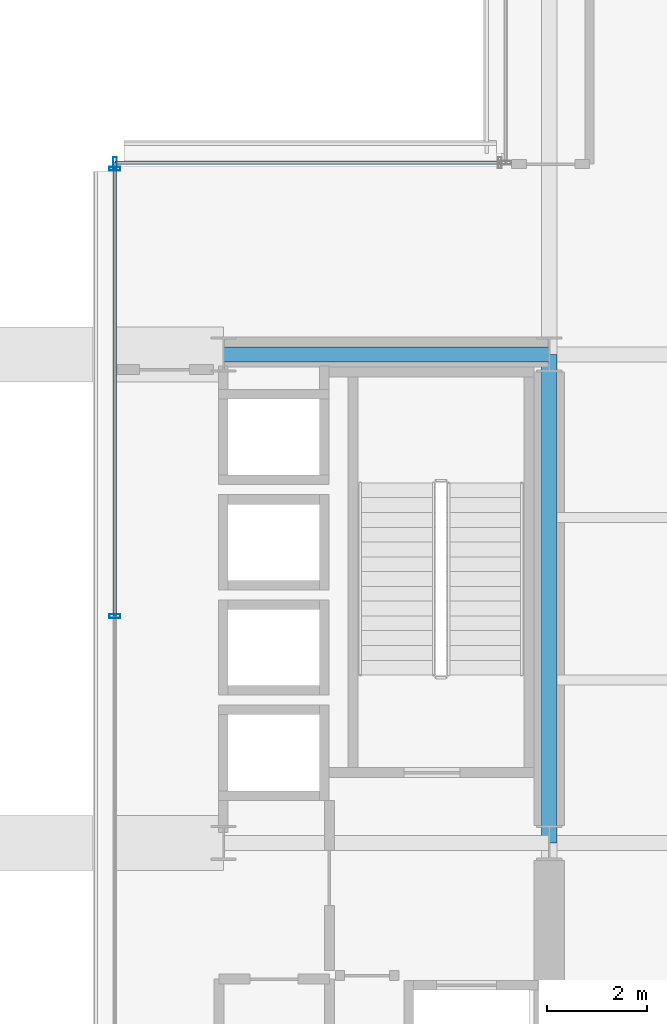
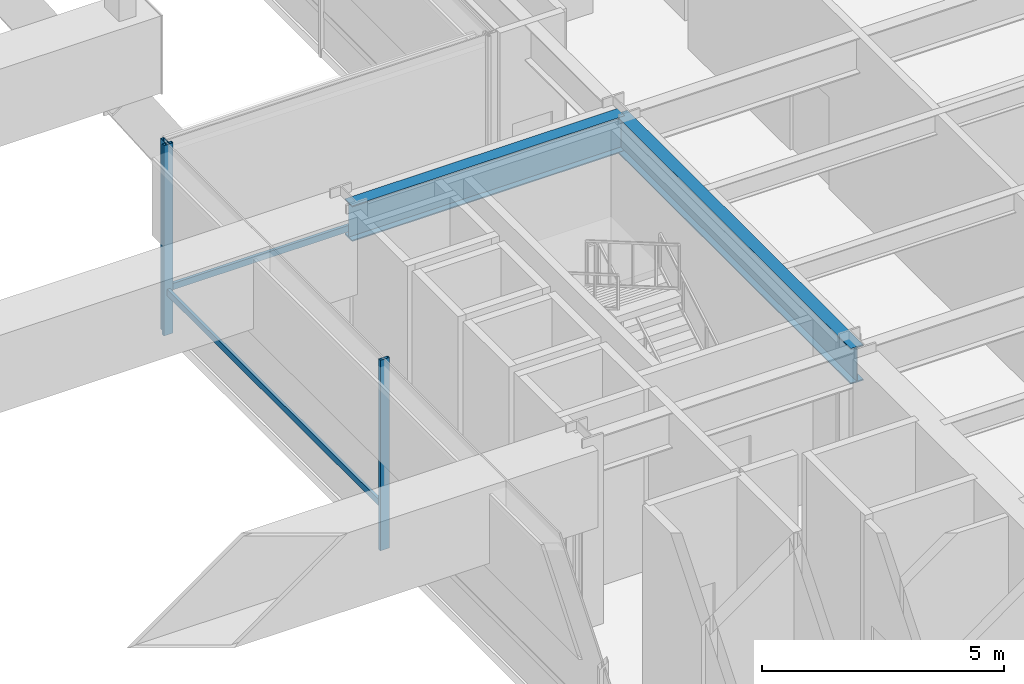
# One storey, part 22 of 42: 5 members, 2 beams, 2 elements without a shape of their own.
"""IFC4 building model written with IfcOpenShell, lengths in metres."""

from ifc_helpers import new_model, si_unit, direction, frame, origin, origin_2d, place, context, subcontext, project, spatial, hollow_rectangle, i_section, extrude, material, layer, layer_set, material_profile, profile_set, type_object, element, aggregate, save


model = new_model("IFC4")

# Units and contexts
model_context = context("Model", 3, precision=1e-05, world=origin(), true_north=direction((0.0, 1.0)))
body_context = subcontext(model_context, "Body", "Model", "MODEL_VIEW")
ifc_project = project(units=[si_unit("LENGTHUNIT", "METRE"), si_unit("AREAUNIT", "SQUARE_METRE"), si_unit("VOLUMEUNIT", "CUBIC_METRE"), si_unit("PLANEANGLEUNIT", "RADIAN"), si_unit("MASSUNIT", "GRAM", prefix="KILO")], contexts=[model_context])

# Site, building, storey
site_placement = place(None, origin())
site = spatial("IfcSite", under=ifc_project, at=site_placement, CompositionType="ELEMENT")
building_placement = place(site_placement, origin())
building = spatial("IfcBuilding", under=site, at=building_placement, Name="Brelmoor Portico Tower", CompositionType="ELEMENT")
storey_placement = place(building_placement, frame((0.0, 0.0, 9.60009765625)))
storey = spatial("IfcBuildingStorey", under=building, at=storey_placement, Name="L02", CompositionType="ELEMENT", Elevation=9.60009765625)

# Beams
ifc_material_1 = material(Name="Steel Q355B", Category="steel")
ifc_material_profile_1 = material_profile(ifc_material_1, i_section(OverallWidth=0.300048828125, OverallDepth=0.89990234375, WebThickness=0.01611328125, FlangeThickness=0.028076171875, at=origin_2d()), Name="HN 900x300x16x28")
ifc_profile_set_1 = profile_set([ifc_material_profile_1], Name="Steel Q355B")
beam_type = type_object("IfcBeamType", Name="BM-PG-900", PredefinedType="BEAM", material=ifc_profile_set_1)
beam_1_placement = place(storey_placement, frame((14.550048828125, 0.0, 4.1298828125), z_axis=(0.0, 1.0, 0.0), x_axis=(-1.0, 0.0, 0.0)))
element("IfcBeam", 1, at=beam_1_placement, inside=storey, type_object=beam_type, Name="L02 Primary Floor Girder PG-15", PredefinedType="BEAM", context=body_context, shape_type="SweptSolid", body=[
    extrude(i_section(OverallWidth=0.300048828125, OverallDepth=0.89990234375, WebThickness=0.01611328125, FlangeThickness=0.028076171875, at=origin_2d()), origin(), (0.0, 0.0, 1.0), 9.75),
])
beam_2_placement = place(storey_placement, frame((8.050048828125, 9.75, 4.1298828125), z_axis=(1.0, 0.0, 0.0), x_axis=(0.0, 1.0, 0.0)))
element("IfcBeam", 2, at=beam_2_placement, inside=storey, type_object=beam_type, Name="L02 Primary Floor Girder PG-38", PredefinedType="BEAM", context=body_context, shape_type="SweptSolid", body=[
    extrude(i_section(OverallWidth=0.300048828125, OverallDepth=0.89990234375, WebThickness=0.01611328125, FlangeThickness=0.028076171875, at=origin_2d()), origin(), (0.0, 0.0, 1.0), 6.5),
])

# Curtain wall, member
ifc_material_2 = material(Name="Anodised Aluminium Alloy 6063-T6", Category="aluminium")
ifc_layer = layer(ifc_material_2, 0.179931640625)
ifc_layer_set = layer_set([ifc_layer], Name="Anodised Aluminium Alloy 6063-T6")
curtain_wall_type = type_object("IfcCurtainWallType", Name="CW-PODIUM-ARCH", PredefinedType="NOTDEFINED", material=ifc_layer_set)
curtain_wall_1_placement = place(storey_placement, origin())
curtain_wall_1 = element("IfcCurtainWall", 3, at=curtain_wall_1_placement, inside=storey, type_object=curtain_wall_type, Name="L02 Curtain Wall CW-L02-14", PredefinedType="NOTDEFINED")
ifc_material_profile_2 = material_profile(ifc_material_2, hollow_rectangle(XDim=0.074951171875, YDim=0.219970703125, WallThickness=0.0048828125, at=origin_2d()), Name="ALU MULLION 75x220")
ifc_profile_set_2 = profile_set([ifc_material_profile_2], Name="Anodised Aluminium Alloy 6063-T6")
member_type_1 = type_object("IfcMemberType", Name="MB-CW-MULL-220", PredefinedType="MULLION", material=ifc_profile_set_2)
member_1_placement = place(storey_placement, frame((5.8798828125, 13.580078125, -0.22021484375), z_axis=(0.0, 0.0, 1.0), x_axis=(1.0, 0.0, 0.0)))
member_1 = element("IfcMember", 4, at=member_1_placement, type_object=member_type_1, Name="CW-L02-14 Mullion 00", PredefinedType="MULLION", context=body_context, shape_type="SweptSolid", body=[
    extrude(hollow_rectangle(XDim=0.074951171875, YDim=0.219970703125, WallThickness=0.0048828125, at=origin_2d()), origin(), (0.0, 0.0, 1.0), 4.800048828125),
])

# Curtain wall, members
curtain_wall_2_placement = place(storey_placement, origin())
curtain_wall_2 = element("IfcCurtainWall", 5, at=curtain_wall_2_placement, inside=storey, type_object=curtain_wall_type, Name="L02 Curtain Wall CW-L02-16", PredefinedType="NOTDEFINED")
member_2_placement = place(storey_placement, frame((5.8798828125, 4.526611328125, -0.22021484375), z_axis=(0.0, 0.0, 1.0), x_axis=(0.0, 1.0, 0.0)))
member_2 = element("IfcMember", 6, at=member_2_placement, type_object=member_type_1, Name="CW-L02-16 Mullion 02", PredefinedType="MULLION", context=body_context, shape_type="SweptSolid", body=[
    extrude(hollow_rectangle(XDim=0.074951171875, YDim=0.219970703125, WallThickness=0.0048828125, at=origin_2d()), origin(), (0.0, 0.0, 1.0), 4.800048828125),
])
member_3_placement = place(storey_placement, frame((5.8798828125, 13.4599609375, -0.22021484375), z_axis=(0.0, 0.0, 1.0), x_axis=(0.0, 1.0, 0.0)))
member_3 = element("IfcMember", 7, at=member_3_placement, type_object=member_type_1, Name="CW-L02-16 Mullion 03", PredefinedType="MULLION", context=body_context, shape_type="SweptSolid", body=[
    extrude(hollow_rectangle(XDim=0.074951171875, YDim=0.219970703125, WallThickness=0.0048828125, at=origin_2d()), origin(), (0.0, 0.0, 1.0), 4.800048828125),
])

# Member
ifc_material_profile_3 = material_profile(ifc_material_2, hollow_rectangle(XDim=0.070068359375, YDim=0.159912109375, WallThickness=0.00390625, at=origin_2d()), Name="ALU TRANSOM 70x160")
ifc_profile_set_3 = profile_set([ifc_material_profile_3], Name="Anodised Aluminium Alloy 6063-T6")
member_type_2 = type_object("IfcMemberType", Name="MB-CW-TRAN-160", PredefinedType="USERDEFINED", material=ifc_profile_set_3)
member_4_placement = place(storey_placement, frame((5.8798828125, 13.580078125, 0.849853515625), z_axis=(1.0, 0.0, 0.0), x_axis=(0.0, 1.0, 0.0)))
member_4 = element("IfcMember", 8, at=member_4_placement, type_object=member_type_2, Name="CW-L02-14 Transom 1-00", ObjectType="TRANSOM", PredefinedType="USERDEFINED", context=body_context, shape_type="SweptSolid", body=[
    extrude(hollow_rectangle(XDim=0.070068359375, YDim=0.159912109375, WallThickness=0.00390625, at=origin_2d()), origin(), (0.0, 0.0, 1.0), 7.800048828125),
])

aggregate(curtain_wall_1, [member_1, member_4])

member_5_placement = place(storey_placement, frame((5.8798828125, 4.526611328125, 0.849853515625), z_axis=(0.0, 1.0, 0.0), x_axis=(-1.0, 0.0, 0.0)))
member_5 = element("IfcMember", 9, at=member_5_placement, type_object=member_type_2, Name="CW-L02-16 Transom 1-02", ObjectType="TRANSOM", PredefinedType="USERDEFINED", context=body_context, shape_type="SweptSolid", body=[
    extrude(hollow_rectangle(XDim=0.070068359375, YDim=0.159912109375, WallThickness=0.00390625, at=origin_2d()), origin(), (0.0, 0.0, 1.0), 9.053466796875),
])

aggregate(curtain_wall_2, [member_2, member_3, member_5])

save(model, "model.ifc")
